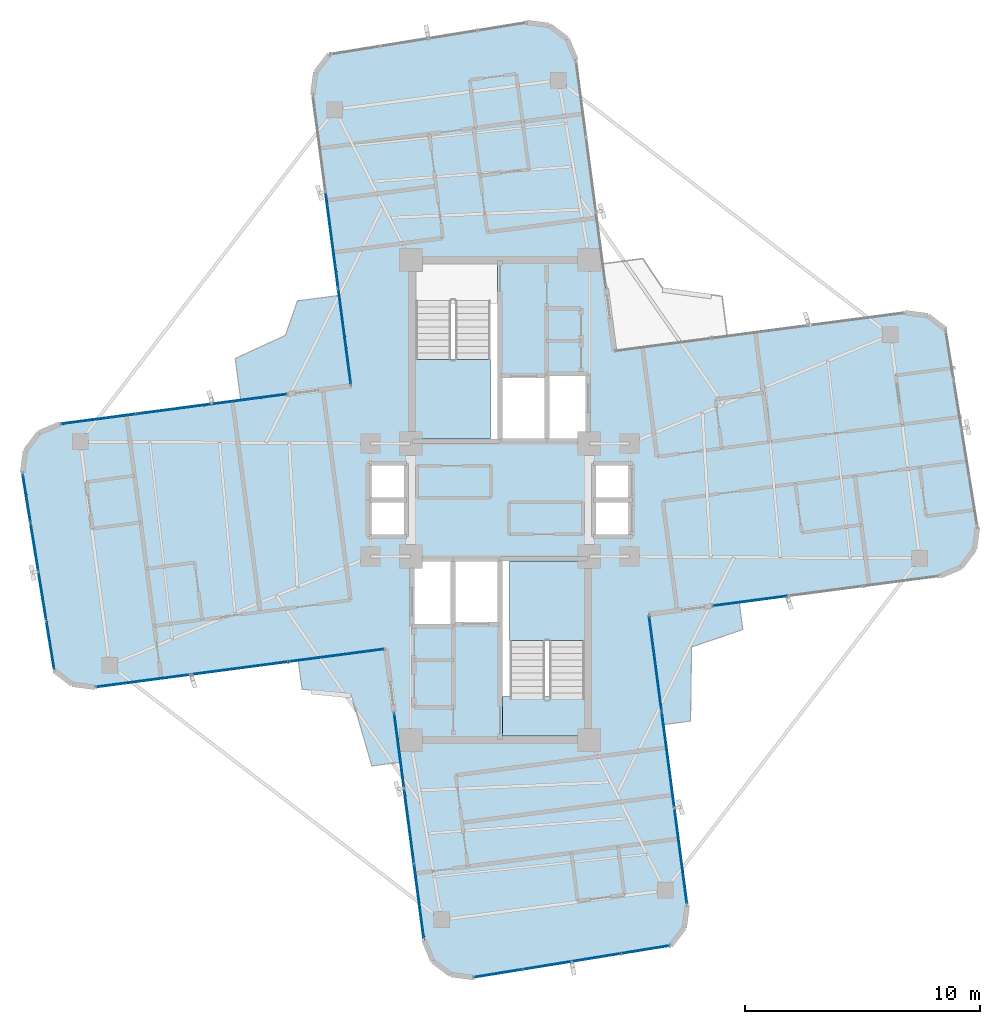
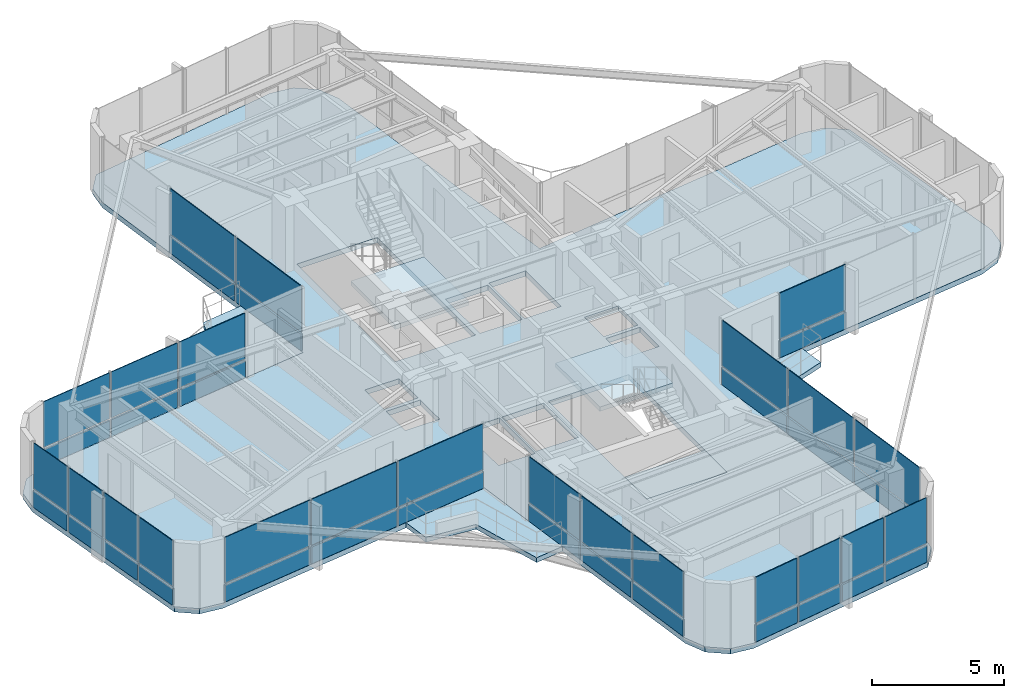
# One storey, part 17 of 23: 46 plates, 7 slabs, 10 elements without a shape of their own.
"""IFC4 building model written with IfcOpenShell, lengths in metres."""

import ifcopenshell
import ifcopenshell.guid

model = None  # the IFC model being written
_history = None  # IfcOwnerHistory: only IFC2X3 demands one
_inside = {}  # id of a spatial element -> (the spatial element, [elements in it])
_under = {}  # id of a project, library or spatial element -> (it, [spatial elements below it])
_declared = {}  # id of a project -> (the project, [libraries it declares])
_typed = {}  # id of a type object -> (the type object, [elements of that type])
_made_of = {}  # id of a material, layer set ... -> (it, [elements and type objects made of it])


def new_model(schema):
    """Start an empty IFC model of exactly this schema.

    Asked for "IFC4X3", IfcOpenShell would pick the latest addendum, in which some entities
    have other attributes; the version numbers below select the first issue.
    IFC2X3 requires an IfcOwnerHistory on every rooted entity: one is made here for all.
    """
    global model, _history
    if schema == "IFC4X3":
        model = ifcopenshell.file(schema_version=(4, 3, 0, 0))
    else:
        model = ifcopenshell.file(schema=schema)
    _inside.clear()
    _under.clear()
    _declared.clear()
    _typed.clear()
    _made_of.clear()
    _history = None
    if model.schema == "IFC2X3":
        org = make("IfcOrganization", Name="unknown")
        user = make(
            "IfcPersonAndOrganization",
            ThePerson=make("IfcPerson", FamilyName="unknown"),
            TheOrganization=org,
        )
        app = make(
            "IfcApplication",
            ApplicationDeveloper=org,
            Version="unknown",
            ApplicationFullName="unknown",
            ApplicationIdentifier="unknown",
        )
        _history = make(
            "IfcOwnerHistory",
            OwningUser=user,
            OwningApplication=app,
            ChangeAction="ADDED",
            CreationDate=0,
        )
    return model


def make(cls, **values):
    """One entity of the class cls with the attributes given. An attribute that is None is left unset."""
    return model.create_entity(
        cls, **{name: value for name, value in values.items() if value is not None}
    )


def rooted(cls, **values):
    """An entity with a GlobalId (a new one), such as an element, a storey or a relation."""
    return make(cls, GlobalId=ifcopenshell.guid.new(), OwnerHistory=_history, **values)


def si_unit(unit_type, name, prefix=None):
    """IfcSIUnit, for example si_unit("LENGTHUNIT", "METRE", prefix="MILLI")."""
    return make("IfcSIUnit", UnitType=unit_type, Prefix=prefix, Name=name)


def assignment(units):
    """IfcUnitAssignment: the units of a project."""
    return None if units is None else make("IfcUnitAssignment", Units=units)


def point(xyz):
    """IfcCartesianPoint."""
    return None if xyz is None else make("IfcCartesianPoint", Coordinates=xyz)


def direction(xyz):
    """IfcDirection."""
    return None if xyz is None else make("IfcDirection", DirectionRatios=xyz)


def frame(location, z_axis=None, x_axis=None):
    """IfcAxis2Placement3D, a coordinate frame: its origin and axes. An axis left out is left unset."""
    return make(
        "IfcAxis2Placement3D",
        Location=point(location),
        Axis=direction(z_axis),
        RefDirection=direction(x_axis),
    )


def frame_2d(location, x_axis=None):
    """IfcAxis2Placement2D, a coordinate frame in the plane: its origin and x axis."""
    return make(
        "IfcAxis2Placement2D", Location=point(location), RefDirection=direction(x_axis)
    )


def origin():
    """The frame at (0, 0, 0) with its axes left unset."""
    return frame((0.0, 0.0, 0.0))


def origin_2d():
    """The frame at (0, 0) in the plane with its x axis left unset."""
    return frame_2d((0.0, 0.0))


def place(relative_to, where):
    """IfcLocalPlacement: puts the frame where relative to a parent placement (None: the world)."""
    return make(
        "IfcLocalPlacement", PlacementRelTo=relative_to, RelativePlacement=where
    )


def context(
    kind, dimensions, precision=None, world=None, true_north=None, identifier=None
):
    """IfcGeometricRepresentationContext, for example the 3D "Model" context."""
    return make(
        "IfcGeometricRepresentationContext",
        ContextIdentifier=identifier,
        ContextType=kind,
        CoordinateSpaceDimension=dimensions,
        Precision=precision,
        WorldCoordinateSystem=world,
        TrueNorth=true_north,
    )


def subcontext(parent, identifier, kind, view, scale=None):
    """IfcGeometricRepresentationSubContext, for example "Body" below "Model"."""
    return make(
        "IfcGeometricRepresentationSubContext",
        ContextIdentifier=identifier,
        ContextType=kind,
        ParentContext=parent,
        TargetScale=scale,
        TargetView=view,
    )


def project(units=None, contexts=None):
    """IfcProject with its units and contexts."""
    return rooted(
        "IfcProject",
        Name="project",
        RepresentationContexts=contexts,
        UnitsInContext=assignment(units),
    )


def spatial(cls, under=None, at=None, **own):
    """A site, building, storey or space (cls), placed at a placement, below another one or the project."""
    s = rooted(cls, ObjectPlacement=at, **own)
    if under is not None:
        _under.setdefault(under.id(), (under, []))[1].append(s)
    return s


def polyline(points):
    """IfcPolyline through the points."""
    return make("IfcPolyline", Points=[point(p) for p in points])


def profile(cls, at=None, kind="AREA", **sizes):
    """A parametric profile (cls). Its sizes go by their IFC names, for example OverallWidth=200.0."""
    return make(cls, ProfileType=kind, Position=at, **sizes)


def rectangle(**sizes):
    """IfcRectangleProfileDef."""
    return profile("IfcRectangleProfileDef", **sizes)


def outline(outer, holes=None, kind="AREA"):
    """IfcArbitraryClosedProfileDef: a profile drawn as a closed curve; with holes, ...WithVoids."""
    if holes is None:
        return make("IfcArbitraryClosedProfileDef", ProfileType=kind, OuterCurve=outer)
    return make(
        "IfcArbitraryProfileDefWithVoids",
        ProfileType=kind,
        OuterCurve=outer,
        InnerCurves=holes,
    )


def extrude(swept, where, along, depth):
    """IfcExtrudedAreaSolid: the profile swept, set in the frame where, extruded along a direction by depth."""
    return make(
        "IfcExtrudedAreaSolid",
        SweptArea=swept,
        Position=where,
        ExtrudedDirection=direction(along),
        Depth=depth,
    )


def shape(context_of_items, identifier, shape_type, items):
    """IfcShapeRepresentation: the items that make up one representation, for example the "Body"."""
    return make(
        "IfcShapeRepresentation",
        ContextOfItems=context_of_items,
        RepresentationIdentifier=identifier,
        RepresentationType=shape_type,
        Items=items,
    )


def source(mapping_origin, context_of_items, identifier, shape_type, items):
    """IfcRepresentationMap: a shape defined once, which mapped items show again and again."""
    return make(
        "IfcRepresentationMap",
        MappingOrigin=mapping_origin,
        MappedRepresentation=shape(context_of_items, identifier, shape_type, items),
    )


def transform(
    local_origin,
    x_axis=None,
    y_axis=None,
    z_axis=None,
    scale=None,
    scale2=None,
    scale3=None,
    uniform=True,
):
    """IfcCartesianTransformationOperator3D, or its non-uniform kind. x_axis, y_axis, z_axis: its Axis1, 2, 3."""
    if uniform:
        return make(
            "IfcCartesianTransformationOperator3D",
            Axis1=direction(x_axis),
            Axis2=direction(y_axis),
            LocalOrigin=point(local_origin),
            Scale=scale,
            Axis3=direction(z_axis),
        )
    return make(
        "IfcCartesianTransformationOperator3DnonUniform",
        Axis1=direction(x_axis),
        Axis2=direction(y_axis),
        LocalOrigin=point(local_origin),
        Scale=scale,
        Axis3=direction(z_axis),
        Scale2=scale2,
        Scale3=scale3,
    )


def mapped(mapping_source, mapping_target):
    """IfcMappedItem: shows the shape of a source again, moved by a transform."""
    return make(
        "IfcMappedItem", MappingSource=mapping_source, MappingTarget=mapping_target
    )


def material(Name=None, Category=None):
    """IfcMaterial."""
    return make("IfcMaterial", Name=Name, Category=Category)


def layer(
    of_material, thickness, ventilated=None, Name=None, Category=None, Priority=None
):
    """IfcMaterialLayer: one layer of a wall or slab, of a material (None: an air gap)."""
    return make(
        "IfcMaterialLayer",
        Material=of_material,
        LayerThickness=thickness,
        IsVentilated=ventilated,
        Name=Name,
        Category=Category,
        Priority=Priority,
    )


def layer_set(layers, Name=None):
    """IfcMaterialLayerSet."""
    return make("IfcMaterialLayerSet", MaterialLayers=layers, LayerSetName=Name)


def made_of(thing, what):
    """Note that an element or type object is made of a material, layer set ...; save() writes the relation."""
    if what is not None:
        _made_of.setdefault(what.id(), (what, []))[1].append(thing)
    return thing


def type_object(cls, material=None, **own):
    """A type object (cls), such as IfcWallType, which elements share."""
    return made_of(rooted(cls, **own), material)


def element(
    cls,
    number,
    at=None,
    inside=None,
    cuts=None,
    type_object=None,
    material=None,
    context=None,
    identifier="Body",
    shape_type=None,
    held_by="IfcProductDefinitionShape",
    body=None,
    shapes=None,
    **own,
):
    """One element of the class cls, such as IfcWall. Its Tag is "e" and its number.

    at: its placement. inside: the storey or other place that contains it. cuts: it is an
    opening in that element (IfcRelVoidsElement). A single representation is given by context,
    identifier, shape_type and body (its items); several are given by shapes. held_by: the class
    of the entity that holds the representations. save() writes the other relations.
    """
    e = rooted(cls, Tag="e%d" % number, ObjectPlacement=at, **own)
    if body is not None:
        shapes = [shape(context, identifier, shape_type, body)]
    if shapes is not None:
        e.Representation = make(held_by, Representations=shapes)
    if inside is not None:
        _inside.setdefault(inside.id(), (inside, []))[1].append(e)
    if cuts is not None:
        rooted(
            "IfcRelVoidsElement", RelatingBuildingElement=cuts, RelatedOpeningElement=e
        )
    if type_object is not None:
        _typed.setdefault(type_object.id(), (type_object, []))[1].append(e)
    return made_of(e, material)


def aggregate(whole, parts):
    """IfcRelAggregates: a whole, such as a stair, and the parts it consists of."""
    return rooted("IfcRelAggregates", RelatingObject=whole, RelatedObjects=parts)


def save(model, path):
    """Write the relations noted so far, then the file.

    IfcRelAggregates (storeys below a building ...), IfcRelContainedInSpatialStructure (elements
    in a storey), IfcRelDefinesByType, IfcRelAssociatesMaterial and IfcRelDeclares: one each for
    every whole, place, type object, material and project.
    """
    for whole, parts in _under.values():
        aggregate(whole, parts)
    for where, things in _inside.values():
        rooted(
            "IfcRelContainedInSpatialStructure",
            RelatedElements=things,
            RelatingStructure=where,
        )
    for kind, things in _typed.values():
        rooted("IfcRelDefinesByType", RelatedObjects=things, RelatingType=kind)
    for what, things in _made_of.values():
        rooted("IfcRelAssociatesMaterial", RelatedObjects=things, RelatingMaterial=what)
    for by, libraries in _declared.values():
        rooted("IfcRelDeclares", RelatingContext=by, RelatedDefinitions=libraries)
    model.write(path)


model = new_model("IFC4")

# Units and contexts
model_context = context("Model", 3, precision=1e-05, world=origin(), true_north=direction((0.0, 1.0)))
body_context = subcontext(model_context, "Body", "Model", "MODEL_VIEW")
ifc_project = project(units=[si_unit("LENGTHUNIT", "METRE"), si_unit("AREAUNIT", "SQUARE_METRE"), si_unit("VOLUMEUNIT", "CUBIC_METRE"), si_unit("PLANEANGLEUNIT", "RADIAN"), si_unit("MASSUNIT", "GRAM", prefix="KILO")], contexts=[model_context])

# Site, building, storey
site_placement = place(None, origin())
site = spatial("IfcSite", under=ifc_project, at=site_placement, CompositionType="ELEMENT")
building_placement = place(site_placement, origin())
building = spatial("IfcBuilding", under=site, at=building_placement, Name="Sahyath Konkavel Grand Hotel", CompositionType="ELEMENT")
storey_placement = place(building_placement, frame((0.0, 0.0, 226.60009765625)))
storey = spatial("IfcBuildingStorey", under=building, at=storey_placement, Name="L63", CompositionType="ELEMENT", Elevation=226.60009765625)

# Slabs
ifc_material_1 = material(Name="Concrete C40/50", Category="concrete")
ifc_layer_1 = layer(ifc_material_1, 0.239990234375)
ifc_layer_set_1 = layer_set([ifc_layer_1], Name="Concrete C40/50")
slab_type_1 = type_object("IfcSlabType", Name="SLB-240", PredefinedType="FLOOR", material=ifc_layer_set_1)
slab_1_placement = place(storey_placement, frame((0.0, 0.0, -0.239990234375)))
element("IfcSlab", 1, at=slab_1_placement, inside=storey, type_object=slab_type_1, Name="L63 Structural Floor Slab", PredefinedType="FLOOR", context=body_context, shape_type="SweptSolid", body=[
    extrude(outline(polyline([(6.32568359375, -4.85400390625), (18.69091796875, -3.225830078125), (19.57568359375, -2.859619140625), (20.15869140625, -2.099609375), (20.28369140625, -1.150390625), (18.92822265625, 7.24560546875), (18.168701171875, 7.82861328125), (17.21923828125, 7.95361328125), (4.85400390625, 6.32568359375), (3.225830078125, 18.69091796875), (2.859619140625, 19.57568359375), (2.099609375, 20.15869140625), (1.150390625, 20.28369140625), (-7.24560546875, 18.92822265625), (-7.82861328125, 18.168701171875), (-7.95361328125, 17.21923828125), (-6.32568359375, 4.85400390625), (-18.69091796875, 3.225830078125), (-19.57568359375, 2.859619140625), (-20.15869140625, 2.099609375), (-20.28369140625, 1.150390625), (-18.92822265625, -7.24560546875), (-18.168701171875, -7.82861328125), (-17.21923828125, -7.95361328125), (-4.85400390625, -6.32568359375), (-3.225830078125, -18.69091796875), (-2.859619140625, -19.57568359375), (-2.099609375, -20.15869140625), (-1.150390625, -20.28369140625), (7.24560546875, -18.92822265625), (7.82861328125, -18.168701171875), (7.95361328125, -17.21923828125), (6.32568359375, -4.85400390625)]), holes=[polyline([(-3.6201171875, 2.580078125), (-0.10009765625, 2.580078125), (-0.10009765625, 10.02001953125), (-3.6201171875, 10.02001953125), (-3.6201171875, 2.580078125)]), polyline([(0.10009765625, -10.02001953125), (3.6201171875, -10.02001953125), (3.6201171875, -2.580078125), (0.10009765625, -2.580078125), (0.10009765625, -10.02001953125)]), polyline([(0.10009765625, 2.60009765625), (1.949951171875, 2.60009765625), (1.949951171875, 5.199951171875), (0.10009765625, 5.199951171875), (0.10009765625, 2.60009765625)]), polyline([(-1.949951171875, -5.199951171875), (-0.10009765625, -5.199951171875), (-0.10009765625, -2.60009765625), (-1.949951171875, -2.60009765625), (-1.949951171875, -5.199951171875)]), polyline([(2.050048828125, 2.60009765625), (3.64990234375, 2.60009765625), (3.64990234375, 5.300048828125), (2.050048828125, 5.300048828125), (2.050048828125, 2.60009765625)]), polyline([(-3.64990234375, -5.300048828125), (-2.050048828125, -5.300048828125), (-2.050048828125, -2.60009765625), (-3.64990234375, -2.60009765625), (-3.64990234375, -5.300048828125)]), polyline([(4.050048828125, 0.080078125), (5.550048828125, 0.080078125), (5.550048828125, 1.5400390625), (4.050048828125, 1.5400390625), (4.050048828125, 0.080078125)]), polyline([(4.050048828125, -1.5400390625), (5.550048828125, -1.5400390625), (5.550048828125, -0.080078125), (4.050048828125, -0.080078125), (4.050048828125, -1.5400390625)]), polyline([(-5.550048828125, 0.080078125), (-4.050048828125, 0.080078125), (-4.050048828125, 1.5400390625), (-5.550048828125, 1.5400390625), (-5.550048828125, 0.080078125)]), polyline([(-5.550048828125, -1.5400390625), (-4.050048828125, -1.5400390625), (-4.050048828125, -0.080078125), (-5.550048828125, -0.080078125), (-5.550048828125, -1.5400390625)])]), origin(), (0.0, 0.0, 1.0), 0.239990234375),
])
ifc_layer_2 = layer(ifc_material_1, 0.219970703125)
ifc_layer_set_2 = layer_set([ifc_layer_2], Name="Concrete C40/50")
slab_type_2 = type_object("IfcSlabType", Name="SLB-BALCONY-220", PredefinedType="FLOOR", material=ifc_layer_set_2)
slab_2_placement = place(storey_placement, frame((0.0, 0.0, -0.22021484375)))
element("IfcSlab", 2, at=slab_2_placement, inside=storey, type_object=slab_type_2, Name="L63 Winter-Garden Balcony NW", PredefinedType="FLOOR", context=body_context, shape_type="SweptSolid", body=[
    extrude(outline(polyline([(-6.32568359375, 4.85400390625), (-6.830810546875, 8.691650390625), (-8.604736328125, 8.458251953125), (-9.11376953125, 6.9931640625), (-11.247802734375, 6.010498046875), (-11.01416015625, 4.236572265625), (-6.32568359375, 4.85400390625)])), origin(), (0.0, 0.0, 1.0), 0.22021484375),
])
slab_3_placement = place(storey_placement, frame((0.0, 0.0, -0.22021484375)))
element("IfcSlab", 3, at=slab_3_placement, inside=storey, type_object=slab_type_2, Name="L63 Winter-Garden Balcony SW", PredefinedType="FLOOR", context=body_context, shape_type="SweptSolid", body=[
    extrude(outline(polyline([(-4.85400390625, -6.32568359375), (-8.56884765625, -6.814697265625), (-8.40771484375, -8.03759765625), (-6.32861328125, -8.24755859375), (-5.443115234375, -11.298095703125), (-4.220458984375, -11.13720703125), (-4.85400390625, -6.32568359375)])), origin(), (0.0, 0.0, 1.0), 0.22021484375),
])
slab_4_placement = place(storey_placement, frame((0.0, 0.0, -0.22021484375)))
element("IfcSlab", 4, at=slab_4_placement, inside=storey, type_object=slab_type_2, Name="L63 Winter-Garden Balcony SE", PredefinedType="FLOOR", context=body_context, shape_type="SweptSolid", body=[
    extrude(outline(polyline([(6.32568359375, -4.85400390625), (6.94287109375, -9.54248046875), (8.095703125, -9.390625), (8.1376953125, -6.244140625), (10.315185546875, -5.50146484375), (10.16357421875, -4.3486328125), (6.32568359375, -4.85400390625)])), origin(), (0.0, 0.0, 1.0), 0.22021484375),
])

# Stair, slab
stair_type = type_object("IfcStairType", Name="STR-ST16-335", PredefinedType="HALF_TURN_STAIR", material=ifc_material_1)
stair_1_placement = place(storey_placement, origin())
stair_1 = element("IfcStair", 5, at=stair_1_placement, inside=storey, type_object=stair_type, Name="L63 North Core Smokeproof Exit Stair ST-1", PredefinedType="HALF_TURN_STAIR")
ifc_layer_3 = layer(ifc_material_1, 0.199951171875)
ifc_layer_set_3 = layer_set([ifc_layer_3], Name="Concrete C40/50")
slab_type_3 = type_object("IfcSlabType", Name="SLB-STAIR-LND", PredefinedType="LANDING", material=ifc_layer_set_3)
slab_5_placement = place(storey_placement, frame((0.0, 0.0, 1.474853515625)))
slab_5 = element("IfcSlab", 6, at=slab_5_placement, type_object=slab_type_3, Name="ST-1 landing 1", PredefinedType="LANDING", context=body_context, shape_type="SweptSolid", body=[
    extrude(outline(polyline([(-3.60009765625, 5.9599609375), (-3.60009765625, 2.60009765625), (-0.39990234375, 2.60009765625), (-0.39990234375, 5.9599609375), (-3.60009765625, 5.9599609375)])), origin(), (0.0, 0.0, 1.0), 0.199951171875),
])
aggregate(stair_1, [slab_5])

stair_2_placement = place(storey_placement, origin())
stair_2 = element("IfcStair", 7, at=stair_2_placement, inside=storey, type_object=stair_type, Name="L63 South Core Smokeproof Exit Stair ST-2", PredefinedType="HALF_TURN_STAIR")
slab_6_placement = place(storey_placement, frame((0.0, 0.0, 1.474853515625)))
slab_6 = element("IfcSlab", 8, at=slab_6_placement, type_object=slab_type_3, Name="ST-2 landing 1", PredefinedType="LANDING", context=body_context, shape_type="SweptSolid", body=[
    extrude(outline(polyline([(3.60009765625, -5.9599609375), (3.60009765625, -2.60009765625), (0.39990234375, -2.60009765625), (0.39990234375, -5.9599609375), (3.60009765625, -5.9599609375)])), origin(), (0.0, 0.0, 1.0), 0.199951171875),
])
aggregate(stair_2, [slab_6])

# Slab
slab_7_placement = place(storey_placement, frame((0.0, 0.0, -0.2001953125)))
element("IfcSlab", 9, at=slab_7_placement, inside=storey, type_object=slab_type_3, Name="L63 Stair ST-2 Floor Landing Slab", PredefinedType="LANDING", context=body_context, shape_type="SweptSolid", body=[
    extrude(outline(polyline([(0.10009765625, -10.02001953125), (3.6201171875, -10.02001953125), (3.6201171875, -8.35009765625), (0.10009765625, -8.35009765625), (0.10009765625, -10.02001953125)])), origin(), (0.0, 0.0, 1.0), 0.2001953125),
])

# Curtain wall, plate
ifc_material_2 = material(Name="Anodised Bronze Aluminium & Low-E Glazing", Category="aluminium")
curtain_wall_type = type_object("IfcCurtainWallType", Name="CW-ZONE4", PredefinedType="NOTDEFINED", material=ifc_material_2)
curtain_wall_1_placement = place(storey_placement, origin())
curtain_wall_1 = element("IfcCurtainWall", 10, at=curtain_wall_1_placement, inside=storey, type_object=curtain_wall_type, Name="L63 Unitised Curtain Wall F0", PredefinedType="NOTDEFINED")
ifc_material_3 = material(Name="Warm Buff Sandstone Cladding", Category="masonry")
ifc_layer_4 = layer(ifc_material_3, 0.074951171875)
ifc_layer_set_4 = layer_set([ifc_layer_4], Name="Warm Buff Sandstone Cladding")
plate_type_1 = type_object("IfcPlateType", Name="PNL-SPANDREL-STONE", PredefinedType="SHEET", material=ifc_layer_set_4)
shared_shape_1 = source(origin(), body_context, "Body", "SweptSolid", [
    extrude(rectangle(XDim=3.150634765625, YDim=0.074951171875, at=origin_2d()), origin(), (0.0, 0.0, 1.0), 0.77001953125),
])
plate_1_placement = place(storey_placement, frame((10.643798828125, -4.285400390625, 0.039794921875), z_axis=(0.0, 0.0, 1.0), x_axis=(0.991442583111, 0.130543496177, 0.0)))
plate_1 = element("IfcPlate", 11, at=plate_1_placement, type_object=plate_type_1, Name="L63 Sandstone Relief Spandrel Panel F0-0", PredefinedType="SHEET", context=body_context, shape_type="MappedRepresentation", body=[
    mapped(shared_shape_1, transform((0.0, 0.0, 0.0), scale=1.0)),
])

# Curtain wall, plates
curtain_wall_2_placement = place(storey_placement, origin())
curtain_wall_2 = element("IfcCurtainWall", 12, at=curtain_wall_2_placement, inside=storey, type_object=curtain_wall_type, Name="L63 Unitised Curtain Wall F16", PredefinedType="NOTDEFINED")
plate_2_placement = place(storey_placement, frame((-10.643798828125, 4.285400390625, 0.039794921875), z_axis=(0.0, 0.0, 1.0), x_axis=(-0.991442583111, -0.130543496177, 0.0)))
plate_2 = element("IfcPlate", 13, at=plate_2_placement, type_object=plate_type_1, Name="L63 Sandstone Relief Spandrel Panel F16-0", PredefinedType="SHEET", context=body_context, shape_type="MappedRepresentation", body=[
    mapped(shared_shape_1, transform((0.0, 0.0, 0.0), scale=1.0)),
])
plate_3_placement = place(storey_placement, frame((-13.8466796875, 3.86376953125, 0.039794921875), z_axis=(0.0, 0.0, 1.0), x_axis=(-0.991442583111, -0.130543496177, 0.0)))
plate_3 = element("IfcPlate", 14, at=plate_3_placement, type_object=plate_type_1, Name="L63 Sandstone Relief Spandrel Panel F16-1", PredefinedType="SHEET", context=body_context, shape_type="MappedRepresentation", body=[
    mapped(shared_shape_1, transform((0.0, 0.0, 0.0), scale=1.0)),
])
plate_4_placement = place(storey_placement, frame((-17.0498046875, 3.44189453125, 0.039794921875), z_axis=(0.0, 0.0, 1.0), x_axis=(-0.991442583111, -0.130543496177, 0.0)))
plate_4 = element("IfcPlate", 15, at=plate_4_placement, type_object=plate_type_1, Name="L63 Sandstone Relief Spandrel Panel F16-2", PredefinedType="SHEET", context=body_context, shape_type="MappedRepresentation", body=[
    mapped(shared_shape_1, transform((0.0, 0.0, 0.0), scale=1.0)),
])

curtain_wall_3_placement = place(storey_placement, origin())
curtain_wall_3 = element("IfcCurtainWall", 16, at=curtain_wall_3_placement, inside=storey, type_object=curtain_wall_type, Name="L63 Unitised Curtain Wall F24", PredefinedType="NOTDEFINED")
plate_5_placement = place(storey_placement, frame((-4.285400390625, -10.643798828125, 0.039794921875), z_axis=(0.0, 0.0, 1.0), x_axis=(0.130543496177, -0.991442583111, 0.0)))
plate_5 = element("IfcPlate", 17, at=plate_5_placement, type_object=plate_type_1, Name="L63 Sandstone Relief Spandrel Panel F24-0", PredefinedType="SHEET", context=body_context, shape_type="MappedRepresentation", body=[
    mapped(shared_shape_1, transform((0.0, 0.0, 0.0), scale=1.0)),
])
plate_6_placement = place(storey_placement, frame((-3.86376953125, -13.8466796875, 0.039794921875), z_axis=(0.0, 0.0, 1.0), x_axis=(0.130543496177, -0.991442583111, 0.0)))
plate_6 = element("IfcPlate", 18, at=plate_6_placement, type_object=plate_type_1, Name="L63 Sandstone Relief Spandrel Panel F24-1", PredefinedType="SHEET", context=body_context, shape_type="MappedRepresentation", body=[
    mapped(shared_shape_1, transform((0.0, 0.0, 0.0), scale=1.0)),
])
plate_7_placement = place(storey_placement, frame((-3.44189453125, -17.0498046875, 0.039794921875), z_axis=(0.0, 0.0, 1.0), x_axis=(0.130543496177, -0.991442583111, 0.0)))
plate_7 = element("IfcPlate", 19, at=plate_7_placement, type_object=plate_type_1, Name="L63 Sandstone Relief Spandrel Panel F24-2", PredefinedType="SHEET", context=body_context, shape_type="MappedRepresentation", body=[
    mapped(shared_shape_1, transform((0.0, 0.0, 0.0), scale=1.0)),
])

# Plate
ifc_material_4 = material(Name="Low-E Solar Control Double Glazing", Category="glass")
ifc_layer_5 = layer(ifc_material_4, 0.035888671875)
ifc_layer_set_5 = layer_set([ifc_layer_5], Name="Low-E Solar Control Double Glazing")
plate_type_2 = type_object("IfcPlateType", Name="PNL-VISION-LOWE", PredefinedType="CURTAIN_PANEL", material=ifc_layer_set_5)
shared_shape_2 = source(origin(), body_context, "Body", "SweptSolid", [
    extrude(rectangle(XDim=3.150634765625, YDim=0.035888671875, at=origin_2d()), origin(), (0.0, 0.0, 1.0), 2.1201171875),
])
plate_8_placement = place(storey_placement, frame((10.643798828125, -4.285400390625, 0.889892578125), z_axis=(0.0, 0.0, 1.0), x_axis=(0.991442583111, 0.130543496177, 0.0)))
plate_8 = element("IfcPlate", 20, at=plate_8_placement, type_object=plate_type_2, Name="L63 Low-E Vision Glazing Panel F0-0", PredefinedType="CURTAIN_PANEL", context=body_context, shape_type="MappedRepresentation", body=[
    mapped(shared_shape_2, transform((0.0, 0.0, 0.0), scale=1.0)),
])

aggregate(curtain_wall_1, [plate_1, plate_8])

plate_9_placement = place(storey_placement, frame((-10.643798828125, 4.285400390625, 0.889892578125), z_axis=(0.0, 0.0, 1.0), x_axis=(-0.991442583111, -0.130543496177, 0.0)))
plate_9 = element("IfcPlate", 21, at=plate_9_placement, type_object=plate_type_2, Name="L63 Low-E Vision Glazing Panel F16-0", PredefinedType="CURTAIN_PANEL", context=body_context, shape_type="MappedRepresentation", body=[
    mapped(shared_shape_2, transform((0.0, 0.0, 0.0), scale=1.0)),
])

plate_10_placement = place(storey_placement, frame((-13.8466796875, 3.86376953125, 0.889892578125), z_axis=(0.0, 0.0, 1.0), x_axis=(-0.991442583111, -0.130543496177, 0.0)))
plate_10 = element("IfcPlate", 22, at=plate_10_placement, type_object=plate_type_2, Name="L63 Low-E Vision Glazing Panel F16-1", PredefinedType="CURTAIN_PANEL", context=body_context, shape_type="MappedRepresentation", body=[
    mapped(shared_shape_2, transform((0.0, 0.0, 0.0), scale=1.0)),
])

plate_11_placement = place(storey_placement, frame((-17.0498046875, 3.44189453125, 0.889892578125), z_axis=(0.0, 0.0, 1.0), x_axis=(-0.991442583111, -0.130543496177, 0.0)))
plate_11 = element("IfcPlate", 23, at=plate_11_placement, type_object=plate_type_2, Name="L63 Low-E Vision Glazing Panel F16-2", PredefinedType="CURTAIN_PANEL", context=body_context, shape_type="MappedRepresentation", body=[
    mapped(shared_shape_2, transform((0.0, 0.0, 0.0), scale=1.0)),
])

aggregate(curtain_wall_2, [plate_2, plate_9, plate_3, plate_10, plate_4, plate_11])

plate_12_placement = place(storey_placement, frame((-4.285400390625, -10.643798828125, 0.889892578125), z_axis=(0.0, 0.0, 1.0), x_axis=(0.130543496177, -0.991442583111, 0.0)))
plate_12 = element("IfcPlate", 24, at=plate_12_placement, type_object=plate_type_2, Name="L63 Low-E Vision Glazing Panel F24-0", PredefinedType="CURTAIN_PANEL", context=body_context, shape_type="MappedRepresentation", body=[
    mapped(shared_shape_2, transform((0.0, 0.0, 0.0), scale=1.0)),
])

plate_13_placement = place(storey_placement, frame((-3.86376953125, -13.8466796875, 0.889892578125), z_axis=(0.0, 0.0, 1.0), x_axis=(0.130543496177, -0.991442583111, 0.0)))
plate_13 = element("IfcPlate", 25, at=plate_13_placement, type_object=plate_type_2, Name="L63 Low-E Vision Glazing Panel F24-1", PredefinedType="CURTAIN_PANEL", context=body_context, shape_type="MappedRepresentation", body=[
    mapped(shared_shape_2, transform((0.0, 0.0, 0.0), scale=1.0)),
])

plate_14_placement = place(storey_placement, frame((-3.44189453125, -17.0498046875, 0.889892578125), z_axis=(0.0, 0.0, 1.0), x_axis=(0.130543496177, -0.991442583111, 0.0)))
plate_14 = element("IfcPlate", 26, at=plate_14_placement, type_object=plate_type_2, Name="L63 Low-E Vision Glazing Panel F24-2", PredefinedType="CURTAIN_PANEL", context=body_context, shape_type="MappedRepresentation", body=[
    mapped(shared_shape_2, transform((0.0, 0.0, 0.0), scale=1.0)),
])

aggregate(curtain_wall_3, [plate_5, plate_12, plate_6, plate_13, plate_7, plate_14])

# Curtain wall, plates
curtain_wall_4_placement = place(storey_placement, origin())
curtain_wall_4 = element("IfcCurtainWall", 27, at=curtain_wall_4_placement, inside=storey, type_object=curtain_wall_type, Name="L63 Unitised Curtain Wall F20", PredefinedType="NOTDEFINED")
shared_shape_3 = source(origin(), body_context, "Body", "SweptSolid", [
    extrude(rectangle(XDim=2.026123046875, YDim=0.074951171875, at=origin_2d()), origin(), (0.0, 0.0, 1.0), 0.77001953125),
])
plate_15_placement = place(storey_placement, frame((-20.109619140625, 0.0712890625, 0.039794921875), z_axis=(0.0, 0.0, 1.0), x_axis=(0.15936430246, -0.987219843349, 0.0)))
plate_15 = element("IfcPlate", 28, at=plate_15_placement, type_object=plate_type_1, Name="L63 Sandstone Relief Spandrel Panel F20-0", PredefinedType="SHEET", context=body_context, shape_type="MappedRepresentation", body=[
    mapped(shared_shape_3, transform((0.0, 0.0, 0.0), scale=1.0)),
])
plate_16_placement = place(storey_placement, frame((-19.77392578125, -2.008056640625, 0.039794921875), z_axis=(0.0, 0.0, 1.0), x_axis=(0.15936430246, -0.987219843349, 0.0)))
plate_16 = element("IfcPlate", 29, at=plate_16_placement, type_object=plate_type_1, Name="L63 Sandstone Relief Spandrel Panel F20-1", PredefinedType="SHEET", context=body_context, shape_type="MappedRepresentation", body=[
    mapped(shared_shape_3, transform((0.0, 0.0, 0.0), scale=1.0)),
])
plate_17_placement = place(storey_placement, frame((-19.438232421875, -4.08740234375, 0.039794921875), z_axis=(0.0, 0.0, 1.0), x_axis=(0.15936430246, -0.987219843349, 0.0)))
plate_17 = element("IfcPlate", 30, at=plate_17_placement, type_object=plate_type_1, Name="L63 Sandstone Relief Spandrel Panel F20-2", PredefinedType="SHEET", context=body_context, shape_type="MappedRepresentation", body=[
    mapped(shared_shape_3, transform((0.0, 0.0, 0.0), scale=1.0)),
])
plate_18_placement = place(storey_placement, frame((-19.1025390625, -6.16650390625, 0.039794921875), z_axis=(0.0, 0.0, 1.0), x_axis=(0.15936430246, -0.987219843349, 0.0)))
plate_18 = element("IfcPlate", 31, at=plate_18_placement, type_object=plate_type_1, Name="L63 Sandstone Relief Spandrel Panel F20-3", PredefinedType="SHEET", context=body_context, shape_type="MappedRepresentation", body=[
    mapped(shared_shape_3, transform((0.0, 0.0, 0.0), scale=1.0)),
])

curtain_wall_5_placement = place(storey_placement, origin())
curtain_wall_5 = element("IfcCurtainWall", 32, at=curtain_wall_5_placement, inside=storey, type_object=curtain_wall_type, Name="L63 Unitised Curtain Wall F28", PredefinedType="NOTDEFINED")
plate_19_placement = place(storey_placement, frame((-0.0712890625, -20.109619140625, 0.039794921875), z_axis=(0.0, 0.0, 1.0), x_axis=(0.987219843349, 0.15936430246, 0.0)))
plate_19 = element("IfcPlate", 33, at=plate_19_placement, type_object=plate_type_1, Name="L63 Sandstone Relief Spandrel Panel F28-0", PredefinedType="SHEET", context=body_context, shape_type="MappedRepresentation", body=[
    mapped(shared_shape_3, transform((0.0, 0.0, 0.0), scale=1.0)),
])
plate_20_placement = place(storey_placement, frame((2.008056640625, -19.77392578125, 0.039794921875), z_axis=(0.0, 0.0, 1.0), x_axis=(0.987219843349, 0.15936430246, 0.0)))
plate_20 = element("IfcPlate", 34, at=plate_20_placement, type_object=plate_type_1, Name="L63 Sandstone Relief Spandrel Panel F28-1", PredefinedType="SHEET", context=body_context, shape_type="MappedRepresentation", body=[
    mapped(shared_shape_3, transform((0.0, 0.0, 0.0), scale=1.0)),
])
plate_21_placement = place(storey_placement, frame((4.08740234375, -19.438232421875, 0.039794921875), z_axis=(0.0, 0.0, 1.0), x_axis=(0.987219843349, 0.15936430246, 0.0)))
plate_21 = element("IfcPlate", 35, at=plate_21_placement, type_object=plate_type_1, Name="L63 Sandstone Relief Spandrel Panel F28-2", PredefinedType="SHEET", context=body_context, shape_type="MappedRepresentation", body=[
    mapped(shared_shape_3, transform((0.0, 0.0, 0.0), scale=1.0)),
])
plate_22_placement = place(storey_placement, frame((6.16650390625, -19.1025390625, 0.039794921875), z_axis=(0.0, 0.0, 1.0), x_axis=(0.987219843349, 0.15936430246, 0.0)))
plate_22 = element("IfcPlate", 36, at=plate_22_placement, type_object=plate_type_1, Name="L63 Sandstone Relief Spandrel Panel F28-3", PredefinedType="SHEET", context=body_context, shape_type="MappedRepresentation", body=[
    mapped(shared_shape_3, transform((0.0, 0.0, 0.0), scale=1.0)),
])

# Plate
shared_shape_4 = source(origin(), body_context, "Body", "SweptSolid", [
    extrude(rectangle(XDim=2.026123046875, YDim=0.035888671875, at=origin_2d()), origin(), (0.0, 0.0, 1.0), 2.1201171875),
])
plate_23_placement = place(storey_placement, frame((-20.109619140625, 0.0712890625, 0.889892578125), z_axis=(0.0, 0.0, 1.0), x_axis=(0.15936430246, -0.987219843349, 0.0)))
plate_23 = element("IfcPlate", 37, at=plate_23_placement, type_object=plate_type_2, Name="L63 Low-E Vision Glazing Panel F20-0", PredefinedType="CURTAIN_PANEL", context=body_context, shape_type="MappedRepresentation", body=[
    mapped(shared_shape_4, transform((0.0, 0.0, 0.0), scale=1.0)),
])

plate_24_placement = place(storey_placement, frame((-19.77392578125, -2.008056640625, 0.889892578125), z_axis=(0.0, 0.0, 1.0), x_axis=(0.15936430246, -0.987219843349, 0.0)))
plate_24 = element("IfcPlate", 38, at=plate_24_placement, type_object=plate_type_2, Name="L63 Low-E Vision Glazing Panel F20-1", PredefinedType="CURTAIN_PANEL", context=body_context, shape_type="MappedRepresentation", body=[
    mapped(shared_shape_4, transform((0.0, 0.0, 0.0), scale=1.0)),
])

plate_25_placement = place(storey_placement, frame((-19.438232421875, -4.08740234375, 0.889892578125), z_axis=(0.0, 0.0, 1.0), x_axis=(0.15936430246, -0.987219843349, 0.0)))
plate_25 = element("IfcPlate", 39, at=plate_25_placement, type_object=plate_type_2, Name="L63 Low-E Vision Glazing Panel F20-2", PredefinedType="CURTAIN_PANEL", context=body_context, shape_type="MappedRepresentation", body=[
    mapped(shared_shape_4, transform((0.0, 0.0, 0.0), scale=1.0)),
])

plate_26_placement = place(storey_placement, frame((-19.1025390625, -6.16650390625, 0.889892578125), z_axis=(0.0, 0.0, 1.0), x_axis=(0.15936430246, -0.987219843349, 0.0)))
plate_26 = element("IfcPlate", 40, at=plate_26_placement, type_object=plate_type_2, Name="L63 Low-E Vision Glazing Panel F20-3", PredefinedType="CURTAIN_PANEL", context=body_context, shape_type="MappedRepresentation", body=[
    mapped(shared_shape_4, transform((0.0, 0.0, 0.0), scale=1.0)),
])

aggregate(curtain_wall_4, [plate_15, plate_23, plate_16, plate_24, plate_17, plate_25, plate_18, plate_26])

plate_27_placement = place(storey_placement, frame((-0.0712890625, -20.109619140625, 0.889892578125), z_axis=(0.0, 0.0, 1.0), x_axis=(0.987219843349, 0.15936430246, 0.0)))
plate_27 = element("IfcPlate", 41, at=plate_27_placement, type_object=plate_type_2, Name="L63 Low-E Vision Glazing Panel F28-0", PredefinedType="CURTAIN_PANEL", context=body_context, shape_type="MappedRepresentation", body=[
    mapped(shared_shape_4, transform((0.0, 0.0, 0.0), scale=1.0)),
])

plate_28_placement = place(storey_placement, frame((2.008056640625, -19.77392578125, 0.889892578125), z_axis=(0.0, 0.0, 1.0), x_axis=(0.987219843349, 0.15936430246, 0.0)))
plate_28 = element("IfcPlate", 42, at=plate_28_placement, type_object=plate_type_2, Name="L63 Low-E Vision Glazing Panel F28-1", PredefinedType="CURTAIN_PANEL", context=body_context, shape_type="MappedRepresentation", body=[
    mapped(shared_shape_4, transform((0.0, 0.0, 0.0), scale=1.0)),
])

plate_29_placement = place(storey_placement, frame((4.08740234375, -19.438232421875, 0.889892578125), z_axis=(0.0, 0.0, 1.0), x_axis=(0.987219843349, 0.15936430246, 0.0)))
plate_29 = element("IfcPlate", 43, at=plate_29_placement, type_object=plate_type_2, Name="L63 Low-E Vision Glazing Panel F28-2", PredefinedType="CURTAIN_PANEL", context=body_context, shape_type="MappedRepresentation", body=[
    mapped(shared_shape_4, transform((0.0, 0.0, 0.0), scale=1.0)),
])

plate_30_placement = place(storey_placement, frame((6.16650390625, -19.1025390625, 0.889892578125), z_axis=(0.0, 0.0, 1.0), x_axis=(0.987219843349, 0.15936430246, 0.0)))
plate_30 = element("IfcPlate", 44, at=plate_30_placement, type_object=plate_type_2, Name="L63 Low-E Vision Glazing Panel F28-3", PredefinedType="CURTAIN_PANEL", context=body_context, shape_type="MappedRepresentation", body=[
    mapped(shared_shape_4, transform((0.0, 0.0, 0.0), scale=1.0)),
])

aggregate(curtain_wall_5, [plate_19, plate_27, plate_20, plate_28, plate_21, plate_29, plate_22, plate_30])

# Curtain wall, plates
curtain_wall_6_placement = place(storey_placement, origin())
curtain_wall_6 = element("IfcCurtainWall", 45, at=curtain_wall_6_placement, inside=storey, type_object=curtain_wall_type, Name="L63 Unitised Curtain Wall F15", PredefinedType="NOTDEFINED")
shared_shape_5 = source(origin(), body_context, "Body", "SweptSolid", [
    extrude(rectangle(XDim=4.05078125, YDim=0.074951171875, at=origin_2d()), origin(), (0.0, 0.0, 1.0), 0.77001953125),
])
plate_31_placement = place(storey_placement, frame((-7.1396484375, 11.03662109375, 0.039794921875), z_axis=(0.0, 0.0, 1.0), x_axis=(0.13052619222, -0.991444861374, 0.0)))
plate_31 = element("IfcPlate", 46, at=plate_31_placement, type_object=plate_type_1, Name="L63 Sandstone Relief Spandrel Panel F15-1", PredefinedType="SHEET", context=body_context, shape_type="MappedRepresentation", body=[
    mapped(shared_shape_5, transform((0.0, 0.0, 0.0), scale=1.0)),
])
plate_32_placement = place(storey_placement, frame((-6.6005859375, 6.94140625, 0.039794921875), z_axis=(0.0, 0.0, 1.0), x_axis=(0.13052619222, -0.991444861374, 0.0)))
plate_32 = element("IfcPlate", 47, at=plate_32_placement, type_object=plate_type_1, Name="L63 Sandstone Relief Spandrel Panel F15-2", PredefinedType="SHEET", context=body_context, shape_type="MappedRepresentation", body=[
    mapped(shared_shape_5, transform((0.0, 0.0, 0.0), scale=1.0)),
])

curtain_wall_7_placement = place(storey_placement, origin())
curtain_wall_7 = element("IfcCurtainWall", 48, at=curtain_wall_7_placement, inside=storey, type_object=curtain_wall_type, Name="L63 Unitised Curtain Wall F23", PredefinedType="NOTDEFINED")
plate_33_placement = place(storey_placement, frame((-15.1318359375, -7.6787109375, 0.039794921875), z_axis=(0.0, 0.0, 1.0), x_axis=(0.991444861374, 0.13052619222, 0.0)))
plate_33 = element("IfcPlate", 49, at=plate_33_placement, type_object=plate_type_1, Name="L63 Sandstone Relief Spandrel Panel F23-0", PredefinedType="SHEET", context=body_context, shape_type="MappedRepresentation", body=[
    mapped(shared_shape_5, transform((0.0, 0.0, 0.0), scale=1.0)),
])
plate_34_placement = place(storey_placement, frame((-11.03662109375, -7.1396484375, 0.039794921875), z_axis=(0.0, 0.0, 1.0), x_axis=(0.991444861374, 0.13052619222, 0.0)))
plate_34 = element("IfcPlate", 50, at=plate_34_placement, type_object=plate_type_1, Name="L63 Sandstone Relief Spandrel Panel F23-1", PredefinedType="SHEET", context=body_context, shape_type="MappedRepresentation", body=[
    mapped(shared_shape_5, transform((0.0, 0.0, 0.0), scale=1.0)),
])
plate_35_placement = place(storey_placement, frame((-6.94140625, -6.6005859375, 0.039794921875), z_axis=(0.0, 0.0, 1.0), x_axis=(0.991444861374, 0.13052619222, 0.0)))
plate_35 = element("IfcPlate", 51, at=plate_35_placement, type_object=plate_type_1, Name="L63 Sandstone Relief Spandrel Panel F23-2", PredefinedType="SHEET", context=body_context, shape_type="MappedRepresentation", body=[
    mapped(shared_shape_5, transform((0.0, 0.0, 0.0), scale=1.0)),
])

curtain_wall_8_placement = place(storey_placement, origin())
curtain_wall_8 = element("IfcCurtainWall", 52, at=curtain_wall_8_placement, inside=storey, type_object=curtain_wall_type, Name="L63 Unitised Curtain Wall F31", PredefinedType="NOTDEFINED")
plate_36_placement = place(storey_placement, frame((7.6787109375, -15.1318359375, 0.039794921875), z_axis=(0.0, 0.0, 1.0), x_axis=(-0.13052619222, 0.991444861374, 0.0)))
plate_36 = element("IfcPlate", 53, at=plate_36_placement, type_object=plate_type_1, Name="L63 Sandstone Relief Spandrel Panel F31-0", PredefinedType="SHEET", context=body_context, shape_type="MappedRepresentation", body=[
    mapped(shared_shape_5, transform((0.0, 0.0, 0.0), scale=1.0)),
])
plate_37_placement = place(storey_placement, frame((7.1396484375, -11.03662109375, 0.039794921875), z_axis=(0.0, 0.0, 1.0), x_axis=(-0.13052619222, 0.991444861374, 0.0)))
plate_37 = element("IfcPlate", 54, at=plate_37_placement, type_object=plate_type_1, Name="L63 Sandstone Relief Spandrel Panel F31-1", PredefinedType="SHEET", context=body_context, shape_type="MappedRepresentation", body=[
    mapped(shared_shape_5, transform((0.0, 0.0, 0.0), scale=1.0)),
])
plate_38_placement = place(storey_placement, frame((6.6005859375, -6.94140625, 0.039794921875), z_axis=(0.0, 0.0, 1.0), x_axis=(-0.13052619222, 0.991444861374, 0.0)))
plate_38 = element("IfcPlate", 55, at=plate_38_placement, type_object=plate_type_1, Name="L63 Sandstone Relief Spandrel Panel F31-2", PredefinedType="SHEET", context=body_context, shape_type="MappedRepresentation", body=[
    mapped(shared_shape_5, transform((0.0, 0.0, 0.0), scale=1.0)),
])

# Plate
shared_shape_6 = source(origin(), body_context, "Body", "SweptSolid", [
    extrude(rectangle(XDim=4.05078125, YDim=0.035888671875, at=origin_2d()), origin(), (0.0, 0.0, 1.0), 2.1201171875),
])
plate_39_placement = place(storey_placement, frame((-7.1396484375, 11.03662109375, 0.889892578125), z_axis=(0.0, 0.0, 1.0), x_axis=(0.13052619222, -0.991444861374, 0.0)))
plate_39 = element("IfcPlate", 56, at=plate_39_placement, type_object=plate_type_2, Name="L63 Low-E Vision Glazing Panel F15-1", PredefinedType="CURTAIN_PANEL", context=body_context, shape_type="MappedRepresentation", body=[
    mapped(shared_shape_6, transform((0.0, 0.0, 0.0), scale=1.0)),
])

plate_40_placement = place(storey_placement, frame((-6.6005859375, 6.94140625, 0.889892578125), z_axis=(0.0, 0.0, 1.0), x_axis=(0.13052619222, -0.991444861374, 0.0)))
plate_40 = element("IfcPlate", 57, at=plate_40_placement, type_object=plate_type_2, Name="L63 Low-E Vision Glazing Panel F15-2", PredefinedType="CURTAIN_PANEL", context=body_context, shape_type="MappedRepresentation", body=[
    mapped(shared_shape_6, transform((0.0, 0.0, 0.0), scale=1.0)),
])

aggregate(curtain_wall_6, [plate_31, plate_39, plate_32, plate_40])

plate_41_placement = place(storey_placement, frame((-15.1318359375, -7.6787109375, 0.889892578125), z_axis=(0.0, 0.0, 1.0), x_axis=(0.991444861374, 0.13052619222, 0.0)))
plate_41 = element("IfcPlate", 58, at=plate_41_placement, type_object=plate_type_2, Name="L63 Low-E Vision Glazing Panel F23-0", PredefinedType="CURTAIN_PANEL", context=body_context, shape_type="MappedRepresentation", body=[
    mapped(shared_shape_6, transform((0.0, 0.0, 0.0), scale=1.0)),
])

plate_42_placement = place(storey_placement, frame((-11.03662109375, -7.1396484375, 0.889892578125), z_axis=(0.0, 0.0, 1.0), x_axis=(0.991444861374, 0.13052619222, 0.0)))
plate_42 = element("IfcPlate", 59, at=plate_42_placement, type_object=plate_type_2, Name="L63 Low-E Vision Glazing Panel F23-1", PredefinedType="CURTAIN_PANEL", context=body_context, shape_type="MappedRepresentation", body=[
    mapped(shared_shape_6, transform((0.0, 0.0, 0.0), scale=1.0)),
])

plate_43_placement = place(storey_placement, frame((-6.94140625, -6.6005859375, 0.889892578125), z_axis=(0.0, 0.0, 1.0), x_axis=(0.991444861374, 0.13052619222, 0.0)))
plate_43 = element("IfcPlate", 60, at=plate_43_placement, type_object=plate_type_2, Name="L63 Low-E Vision Glazing Panel F23-2", PredefinedType="CURTAIN_PANEL", context=body_context, shape_type="MappedRepresentation", body=[
    mapped(shared_shape_6, transform((0.0, 0.0, 0.0), scale=1.0)),
])

aggregate(curtain_wall_7, [plate_33, plate_41, plate_34, plate_42, plate_35, plate_43])

plate_44_placement = place(storey_placement, frame((7.6787109375, -15.1318359375, 0.889892578125), z_axis=(0.0, 0.0, 1.0), x_axis=(-0.13052619222, 0.991444861374, 0.0)))
plate_44 = element("IfcPlate", 61, at=plate_44_placement, type_object=plate_type_2, Name="L63 Low-E Vision Glazing Panel F31-0", PredefinedType="CURTAIN_PANEL", context=body_context, shape_type="MappedRepresentation", body=[
    mapped(shared_shape_6, transform((0.0, 0.0, 0.0), scale=1.0)),
])

plate_45_placement = place(storey_placement, frame((7.1396484375, -11.03662109375, 0.889892578125), z_axis=(0.0, 0.0, 1.0), x_axis=(-0.13052619222, 0.991444861374, 0.0)))
plate_45 = element("IfcPlate", 62, at=plate_45_placement, type_object=plate_type_2, Name="L63 Low-E Vision Glazing Panel F31-1", PredefinedType="CURTAIN_PANEL", context=body_context, shape_type="MappedRepresentation", body=[
    mapped(shared_shape_6, transform((0.0, 0.0, 0.0), scale=1.0)),
])

plate_46_placement = place(storey_placement, frame((6.6005859375, -6.94140625, 0.889892578125), z_axis=(0.0, 0.0, 1.0), x_axis=(-0.13052619222, 0.991444861374, 0.0)))
plate_46 = element("IfcPlate", 63, at=plate_46_placement, type_object=plate_type_2, Name="L63 Low-E Vision Glazing Panel F31-2", PredefinedType="CURTAIN_PANEL", context=body_context, shape_type="MappedRepresentation", body=[
    mapped(shared_shape_6, transform((0.0, 0.0, 0.0), scale=1.0)),
])

aggregate(curtain_wall_8, [plate_36, plate_44, plate_37, plate_45, plate_38, plate_46])

save(model, "model.ifc")
